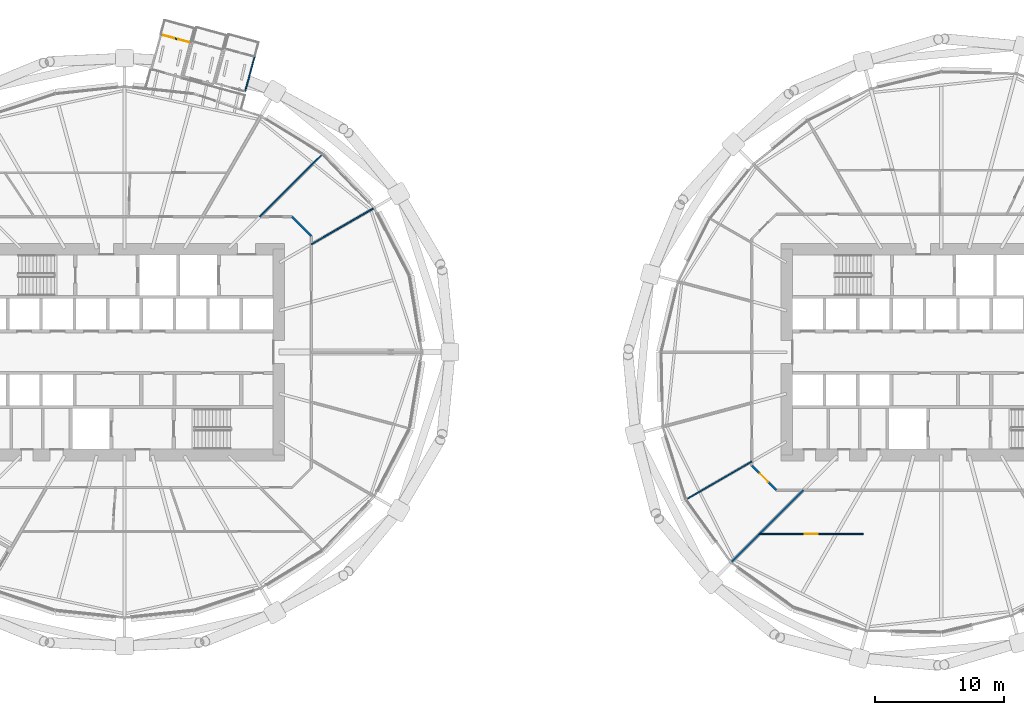
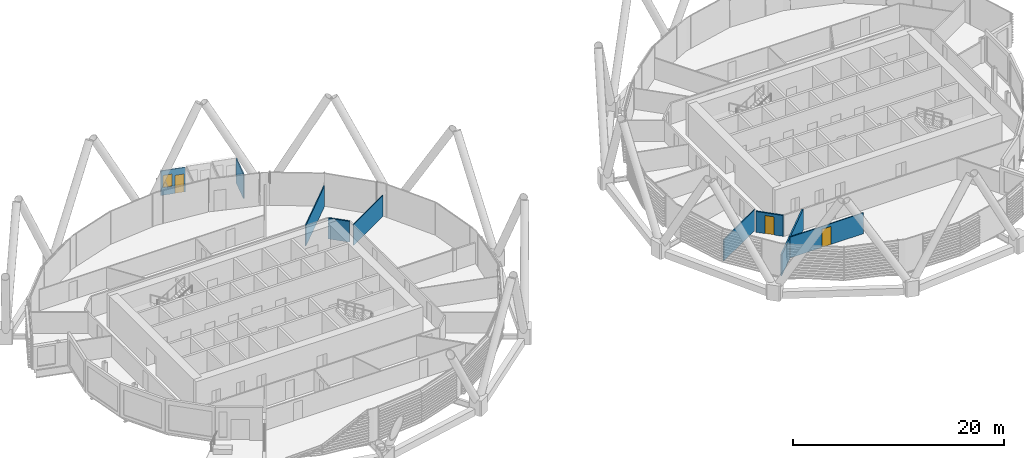
# One storey, part 27 of 40: 9 walls, 3 doors, 1 window, 4 openings.
"""IFC4 building model written with IfcOpenShell, lengths in metres."""

from ifc_helpers import new_model, si_unit, direction, frame, frame_2d, origin, place, context, subcontext, project, spatial, rectangle, extrude, material, layer, layer_set, type_object, element, fill, save


model = new_model("IFC4")

# Units and contexts
model_context = context("Model", 3, precision=1e-05, world=origin(), true_north=direction((0.0, 1.0)))
body_context = subcontext(model_context, "Body", "Model", "MODEL_VIEW")
ifc_project = project(units=[si_unit("LENGTHUNIT", "METRE"), si_unit("AREAUNIT", "SQUARE_METRE"), si_unit("VOLUMEUNIT", "CUBIC_METRE"), si_unit("PLANEANGLEUNIT", "RADIAN"), si_unit("MASSUNIT", "GRAM", prefix="KILO")], contexts=[model_context])

# Site, building, storey
site_placement = place(None, origin())
site = spatial("IfcSite", under=ifc_project, at=site_placement, CompositionType="ELEMENT")
building_placement = place(site_placement, origin())
building = spatial("IfcBuilding", under=site, at=building_placement, Name="Rimbun Link Towers", CompositionType="ELEMENT")
storey_placement = place(building_placement, frame((0.0, 0.0, 52.800048828125)))
storey = spatial("IfcBuildingStorey", under=building, at=storey_placement, Name="L12", CompositionType="ELEMENT", Elevation=52.800048828125)

# Wall, openings, door, window
ifc_material_1 = material(Name="Terracotta-faced insulated sandwich panel", Category="masonry")
ifc_layer_1 = layer(ifc_material_1, 0.10009765625)
ifc_layer_set_1 = layer_set([ifc_layer_1], Name="CAPSULE entrance panel 100")
wall_type_1 = type_object("IfcWallType", Name="CAPSULE entrance panel 100", PredefinedType="STANDARD", material=ifc_layer_set_1)
wall_1_placement = place(storey_placement, frame((-26.6181640625, 24.058837890625, 0.0), z_axis=(0.0, 0.0, 1.0), x_axis=(-0.965108089312, 0.261851820585, 0.0)))
wall_1 = element("IfcWall", 1, at=wall_1_placement, inside=storey, type_object=wall_type_1, Name="CAPSULE D121.01 shell panel 2", PredefinedType="STANDARD", context=body_context, shape_type="SweptSolid", body=[
    extrude(rectangle(XDim=2.39990234375, YDim=0.10009765625, at=frame_2d((1.199951171875, 0.0))), origin(), (0.0, 0.0, 1.0), 2.849853515625),
])
opening_1_placement = place(wall_1_placement, frame((0.10009765625, 0.0, 0.0)))
opening_1 = element("IfcOpeningElement", 2, at=opening_1_placement, cuts=wall_1, Name="Opening CD12.01", PredefinedType="OPENING", context=body_context, shape_type="SweptSolid", body=[
    extrude(rectangle(XDim=0.89990234375, YDim=2.10009765625, at=frame_2d((0.449951171875, 1.050048828125))), frame((0.0, 0.06005859375, 0.0), z_axis=(0.0, -1.0, 0.0), x_axis=(1.0, 0.0, 0.0)), (0.0, 0.0, 1.0), 0.1201171875),
])
opening_2_placement = place(wall_1_placement, frame((1.300048828125, 0.0, 0.89990234375)))
opening_2 = element("IfcOpeningElement", 3, at=opening_2_placement, cuts=wall_1, Name="Opening CN12.01", PredefinedType="OPENING", context=body_context, shape_type="SweptSolid", body=[
    extrude(rectangle(XDim=0.89990234375, YDim=1.39990234375, at=frame_2d((0.449951171875, 0.699951171875))), frame((0.0, 0.06005859375, 0.0), z_axis=(0.0, -1.0, 0.0), x_axis=(1.0, 0.0, 0.0)), (0.0, 0.0, 1.0), 0.1201171875),
])
ifc_material_2 = material(Name="Aluminium framed insulated door leaf", Category="aluminium")
door_type_1 = type_object("IfcDoorType", Name="CAPSULE door single leaf 900X2100", OperationType="SINGLE_SWING_LEFT", PredefinedType="DOOR", material=ifc_material_2)
door_1_placement = place(opening_1_placement, origin())
door_1 = element("IfcDoor", 4, at=door_1_placement, inside=storey, type_object=door_type_1, Name="CAPSULE D121.01 door", OperationType="SINGLE_SWING_LEFT", OverallHeight=2.10009765625, OverallWidth=0.89990234375, PredefinedType="DOOR", context=body_context, shape_type="SweptSolid", body=[
    extrude(rectangle(XDim=0.89990234375, YDim=2.10009765625, at=frame_2d((0.449951171875, 1.050048828125))), frame((0.0, 0.02490234375, 0.0), z_axis=(0.0, -1.0, 0.0), x_axis=(1.0, 0.0, 0.0)), (0.0, 0.0, 1.0), 0.050048828125),
])
fill(opening_1, door_1)
ifc_material_3 = material(Name="Aluminium framed window, low-iron glass", Category="aluminium")
window_type = type_object("IfcWindowType", Name="CAPSULE window 900X1400", PartitioningType="SINGLE_PANEL", PredefinedType="WINDOW", material=ifc_material_3)
window_placement = place(opening_2_placement, origin())
window = element("IfcWindow", 5, at=window_placement, inside=storey, type_object=window_type, Name="CAPSULE D121.01 window", OverallHeight=1.39990234375, OverallWidth=0.89990234375, PartitioningType="SINGLE_PANEL", PredefinedType="WINDOW", context=body_context, shape_type="SweptSolid", body=[
    extrude(rectangle(XDim=0.89990234375, YDim=1.39990234375, at=frame_2d((0.449951171875, 0.699951171875))), frame((0.0, 0.030029296875, 0.0), z_axis=(0.0, -1.0, 0.0), x_axis=(1.0, 0.0, 0.0)), (0.0, 0.0, 1.0), 0.06005859375),
])
fill(opening_2, window)

# Walls
ifc_material_4 = material(Name="Terracotta-faced insulated sandwich panel", Category="masonry")
ifc_layer_2 = layer(ifc_material_4, 0.10009765625)
ifc_layer_set_2 = layer_set([ifc_layer_2], Name="CAPSULE shell panel 100")
wall_type_2 = type_object("IfcWallType", Name="CAPSULE shell panel 100", PredefinedType="STANDARD", material=ifc_layer_set_2)
wall_2_placement = place(storey_placement, frame((-22.3720703125, 20.253662109375, 0.0), z_axis=(0.0, 0.0, 1.0), x_axis=(0.261855493293, 0.965107092831, 0.0)))
element("IfcWall", 6, at=wall_2_placement, inside=storey, type_object=wall_type_2, Name="CAPSULE D121.03 shell panel 1", PredefinedType="STANDARD", context=body_context, shape_type="SweptSolid", body=[
    extrude(rectangle(XDim=2.7998046875, YDim=0.10009765625, at=frame_2d((1.39990234375, 0.0))), origin(), (0.0, 0.0, 1.0), 2.849853515625),
])
ifc_material_5 = material(Name="Plasterboard on steel stud, mineral wool", Category="steel")
ifc_layer_3 = layer(ifc_material_5, 0.14990234375)
ifc_layer_set_3 = layer_set([ifc_layer_3], Name="Corridor wall EI 30 150 mm")
wall_type_3 = type_object("IfcWallType", Name="Corridor wall EI 30 150 mm", PredefinedType="PARTITIONING", material=ifc_layer_set_3)
wall_3_placement = place(storey_placement, frame((-17.22509765625, 9.026611328125, 0.0), z_axis=(0.0, 0.0, 1.0), x_axis=(-0.707106781187, 0.707106781187, 0.0)))
element("IfcWall", 7, at=wall_3_placement, inside=storey, type_object=wall_type_3, Name="Corridor wall EI 30 150 mm", PredefinedType="PARTITIONING", context=body_context, shape_type="SweptSolid", body=[
    extrude(rectangle(XDim=2.118896484375, YDim=0.14990234375, at=frame_2d((1.0595703125, 0.0))), origin(), (0.0, 0.0, 1.0), 2.419921875),
])

# Wall, opening, door
wall_4_placement = place(storey_placement, frame((18.92333984375, -10.72509765625, 0.0), z_axis=(0.0, 0.0, 1.0), x_axis=(-0.707106781187, 0.707106781187, 0.0)))
wall_4 = element("IfcWall", 8, at=wall_4_placement, inside=storey, type_object=wall_type_3, Name="Corridor wall EI 30 150 mm", PredefinedType="PARTITIONING", context=body_context, shape_type="SweptSolid", body=[
    extrude(rectangle(XDim=2.684814453125, YDim=0.14990234375, at=frame_2d((1.34228515625, 0.0))), origin(), (0.0, 0.0, 1.0), 2.419921875),
])
opening_3_placement = place(wall_4_placement, frame((0.892333984375, 0.0, 0.0)))
opening_3 = element("IfcOpeningElement", 9, at=opening_3_placement, cuts=wall_4, Name="Opening D02", PredefinedType="OPENING", context=body_context, shape_type="SweptSolid", body=[
    extrude(rectangle(XDim=0.89990234375, YDim=2.10009765625, at=frame_2d((0.449951171875, 1.050048828125))), frame((0.0, 0.0849609375, 0.0), z_axis=(0.0, -1.0, 0.0), x_axis=(1.0, 0.0, 0.0)), (0.0, 0.0, 1.0), 0.169921875),
])
ifc_material_6 = material(Name="Fire-resisting timber door leaf", Category="wood")
door_type_2 = type_object("IfcDoorType", Name="Fire door FD30S 900", OperationType="NOTDEFINED", PredefinedType="DOOR", material=ifc_material_6)
door_2_placement = place(opening_3_placement, origin())
door_2 = element("IfcDoor", 10, at=door_2_placement, inside=storey, type_object=door_type_2, Name="Fire door FD30S 900 to Meeting room", OperationType="SINGLE_SWING_LEFT", OverallHeight=2.10009765625, OverallWidth=0.89990234375, PredefinedType="DOOR", context=body_context, shape_type="SweptSolid", body=[
    extrude(rectangle(XDim=0.89990234375, YDim=2.10009765625, at=frame_2d((0.449951171875, 1.050048828125))), frame((0.0, 0.02490234375, 0.0), z_axis=(0.0, -1.0, 0.0), x_axis=(1.0, 0.0, 0.0)), (0.0, 0.0, 1.0), 0.050048828125),
])
fill(opening_3, door_2)

# Walls
ifc_material_7 = material(Name="Plasterboard on steel stud", Category="steel")
ifc_layer_4 = layer(ifc_material_7, 0.10009765625)
ifc_layer_set_4 = layer_set([ifc_layer_4], Name="Plasterboard partition 100 mm")
wall_type_4 = type_object("IfcWallType", Name="Plasterboard partition 100 mm", PredefinedType="PARTITIONING", material=ifc_layer_set_4)
wall_5_placement = place(storey_placement, frame((-12.37646484375, 11.185302734375, 0.0), z_axis=(0.0, 0.0, 1.0), x_axis=(-0.866028733576, -0.499994232587, 0.0)))
element("IfcWall", 11, at=wall_5_placement, inside=storey, type_object=wall_type_4, Name="Plasterboard partition 100 mm", PredefinedType="PARTITIONING", context=body_context, shape_type="SweptSolid", body=[
    extrude(rectangle(XDim=5.5986328125, YDim=0.10009765625, at=frame_2d((2.79931640625, 0.0))), origin(), (0.0, 0.0, 1.0), 2.419921875),
])
wall_6_placement = place(storey_placement, frame((-16.384521484375, 15.365478515625, 0.0), z_axis=(0.0, 0.0, 1.0), x_axis=(-0.707106781187, -0.707106781187, 0.0)))
element("IfcWall", 12, at=wall_6_placement, inside=storey, type_object=wall_type_4, Name="Plasterboard partition 100 mm", PredefinedType="PARTITIONING", context=body_context, shape_type="SweptSolid", body=[
    extrude(rectangle(XDim=6.845703125, YDim=0.10009765625, at=frame_2d((3.4228515625, 0.0))), origin(), (0.0, 0.0, 1.0), 2.419921875),
])
wall_7_placement = place(storey_placement, frame((11.93798828125, -11.4384765625, 0.0), z_axis=(0.0, 0.0, 1.0), x_axis=(0.866019468283, 0.500010280449, 0.0)))
element("IfcWall", 13, at=wall_7_placement, inside=storey, type_object=wall_type_4, Name="Plasterboard partition 100 mm", PredefinedType="PARTITIONING", context=body_context, shape_type="SweptSolid", body=[
    extrude(rectangle(XDim=5.8740234375, YDim=0.10009765625, at=frame_2d((2.93701171875, 0.0))), origin(), (0.0, 0.0, 1.0), 2.419921875),
])

# Wall, opening, door
wall_8_placement = place(storey_placement, frame((25.697021484375, -14.14501953125, 0.0), z_axis=(0.0, 0.0, 1.0), x_axis=(-1.0, 0.0, 0.0)))
wall_8 = element("IfcWall", 14, at=wall_8_placement, inside=storey, type_object=wall_type_4, Name="Plasterboard partition 100 mm", PredefinedType="PARTITIONING", context=body_context, shape_type="SweptSolid", body=[
    extrude(rectangle(XDim=8.092041015625, YDim=0.10009765625, at=frame_2d((4.0458984375, 0.0))), origin(), (0.0, 0.0, 1.0), 2.419921875),
])
opening_4_placement = place(wall_8_placement, frame((3.5458984375, 0.0, 0.0)))
opening_4 = element("IfcOpeningElement", 15, at=opening_4_placement, cuts=wall_8, Name="Opening D03", PredefinedType="OPENING", context=body_context, shape_type="SweptSolid", body=[
    extrude(rectangle(XDim=1.0, YDim=2.10009765625, at=frame_2d((0.5, 1.050048828125))), frame((0.0, 0.06005859375, 0.0), z_axis=(0.0, -1.0, 0.0), x_axis=(1.0, 0.0, 0.0)), (0.0, 0.0, 1.0), 0.1201171875),
])
ifc_material_8 = material(Name="Timber door leaf", Category="wood")
door_type_3 = type_object("IfcDoorType", Name="Flush door 1000", OperationType="NOTDEFINED", PredefinedType="DOOR", material=ifc_material_8)
door_3_placement = place(opening_4_placement, origin())
door_3 = element("IfcDoor", 16, at=door_3_placement, inside=storey, type_object=door_type_3, Name="Flush door 1000 to Open office", OperationType="SINGLE_SWING_RIGHT", OverallHeight=2.10009765625, OverallWidth=1.0, PredefinedType="DOOR", context=body_context, shape_type="SweptSolid", body=[
    extrude(rectangle(XDim=1.0, YDim=2.10009765625, at=frame_2d((0.5, 1.050048828125))), frame((0.0, 0.02490234375, 0.0), z_axis=(0.0, -1.0, 0.0), x_axis=(1.0, 0.0, 0.0)), (0.0, 0.0, 1.0), 0.050048828125),
])
fill(opening_4, door_3)

# Wall
ifc_material_9 = material(Name="Plasterboard on steel stud, mineral wool", Category="steel")
ifc_layer_5 = layer(ifc_material_9, 0.14990234375)
ifc_layer_set_5 = layer_set([ifc_layer_5], Name="Tenancy separation wall EI 60 150 mm")
wall_type_5 = type_object("IfcWallType", Name="Tenancy separation wall EI 60 150 mm", PredefinedType="PARTITIONING", material=ifc_layer_set_5)
wall_9_placement = place(storey_placement, frame((21.02490234375, -10.72509765625, 0.0), z_axis=(0.0, 0.0, 1.0), x_axis=(-0.707106781187, -0.707106781187, 0.0)))
element("IfcWall", 17, at=wall_9_placement, inside=storey, type_object=wall_type_5, Name="Tenancy separation wall EI 60 150 mm", PredefinedType="PARTITIONING", context=body_context, shape_type="SweptSolid", body=[
    extrude(rectangle(XDim=7.903564453125, YDim=0.14990234375, at=frame_2d((3.95166015625, 0.0))), origin(), (0.0, 0.0, 1.0), 2.419921875),
])

save(model, "model.ifc")
